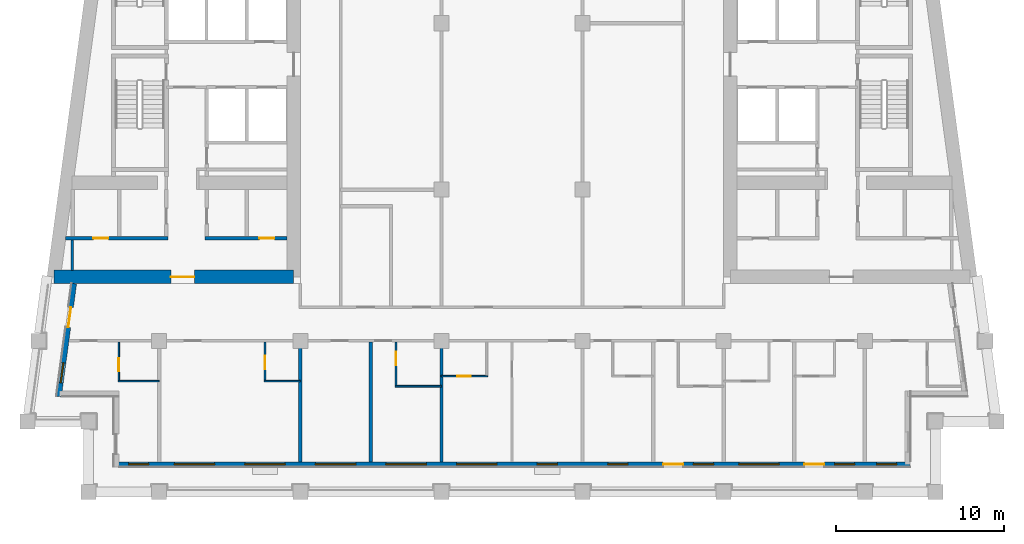
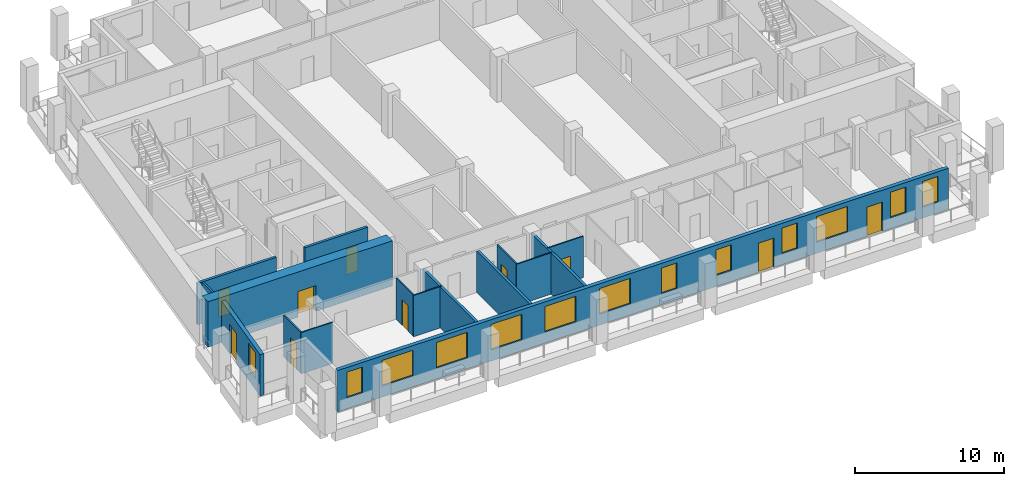
# One storey, part 2 of 13: 16 walls, 13 windows, 10 doors, 23 openings.
"""IFC4 building model written with IfcOpenShell, lengths in metres."""

from ifc_helpers import new_model, si_unit, direction, frame, frame_2d, origin, place, context, subcontext, project, spatial, rectangle, extrude, material, layer, layer_set, type_object, element, fill, save


model = new_model("IFC4")

# Units and contexts
model_context = context("Model", 3, precision=1e-05, world=origin(), true_north=direction((0.0, 1.0)))
body_context = subcontext(model_context, "Body", "Model", "MODEL_VIEW")
ifc_project = project(units=[si_unit("LENGTHUNIT", "METRE"), si_unit("AREAUNIT", "SQUARE_METRE"), si_unit("VOLUMEUNIT", "CUBIC_METRE"), si_unit("PLANEANGLEUNIT", "RADIAN"), si_unit("MASSUNIT", "GRAM", prefix="KILO")], contexts=[model_context])

# Site, building, storey
site_placement = place(None, origin())
site = spatial("IfcSite", under=ifc_project, at=site_placement, CompositionType="ELEMENT")
building_placement = place(site_placement, origin())
building = spatial("IfcBuilding", under=site, at=building_placement, Name="Candeia Pilgrim Tower and Theatre", CompositionType="ELEMENT")
storey_placement = place(building_placement, frame((0.0, 0.0, 220.699951171875)))
storey = spatial("IfcBuildingStorey", under=building, at=storey_placement, Name="L53", CompositionType="ELEMENT", Elevation=220.699951171875)

# Wall, opening, door
ifc_material_1 = material(Name="Concrete C50/60", Category="concrete")
ifc_layer_1 = layer(ifc_material_1, 0.800048828125)
ifc_layer_set_1 = layer_set([ifc_layer_1], Name="Core wall 800 C50/60")
wall_type_1 = type_object("IfcWallType", Name="Core wall 800 C50/60", PredefinedType="SHEAR", material=ifc_layer_set_1)
wall_1_placement = place(storey_placement, frame((100.39990234375, 110.800048828125, 0.0), z_axis=(0.0, 0.0, 1.0), x_axis=(-1.0, 0.0, 0.0)))
wall_1 = element("IfcWall", 1, at=wall_1_placement, inside=storey, type_object=wall_type_1, Name="Core wall W3", PredefinedType="SHEAR", context=body_context, shape_type="SweptSolid", body=[
    extrude(rectangle(XDim=14.273193359375, YDim=0.800048828125, at=frame_2d((7.13671875, 0.0))), origin(), (0.0, 0.0, 1.0), 3.699951171875),
])
opening_1_placement = place(wall_1_placement, frame((5.907958984375, 0.0, 0.0)))
opening_1 = element("IfcOpeningElement", 2, at=opening_1_placement, cuts=wall_1, Name="Opening L53-D056", PredefinedType="OPENING", context=body_context, shape_type="SweptSolid", body=[
    extrude(rectangle(XDim=1.39990234375, YDim=2.10009765625, at=frame_2d((0.699951171875, 1.050048828125))), frame((0.0, 0.41015625, 0.0), z_axis=(0.0, -1.0, 0.0), x_axis=(1.0, 0.0, 0.0)), (0.0, 0.0, 1.0), 0.820068359375),
])
ifc_material_2 = material(Name="Steel fire door set", Category="steel")
door_type_1 = type_object("IfcDoorType", Name="D-1400-FD60", OperationType="NOTDEFINED", PredefinedType="DOOR", material=ifc_material_2)
door_1_placement = place(opening_1_placement, origin())
door_1 = element("IfcDoor", 3, at=door_1_placement, inside=storey, type_object=door_type_1, Name="Door L53-D056", OperationType="SINGLE_SWING_LEFT", OverallHeight=2.10009765625, OverallWidth=1.39990234375, PredefinedType="DOOR", context=body_context, shape_type="SweptSolid", body=[
    extrude(rectangle(XDim=1.39990234375, YDim=2.10009765625, at=frame_2d((0.699951171875, 1.050048828125))), frame((0.0, 0.02490234375, 0.0), z_axis=(0.0, -1.0, 0.0), x_axis=(1.0, 0.0, 0.0)), (0.0, 0.0, 1.0), 0.050048828125),
])
fill(opening_1, door_1)

# Wall, openings, doors, windows
ifc_material_3 = material(Name="Ceramic block masonry", Category="masonry")
ifc_layer_2 = layer(ifc_material_3, 0.300048828125)
ifc_layer_set_2 = layer_set([ifc_layer_2], Name="EW1 glazing-line wall 300")
wall_type_2 = type_object("IfcWallType", Name="EW1 glazing-line wall 300", PredefinedType="SOLIDWALL", material=ifc_layer_set_2)
wall_2_placement = place(storey_placement, frame((89.85009765625, 99.64990234375, 0.0), z_axis=(0.0, 0.0, 1.0), x_axis=(1.0, 0.0, 0.0)))
wall_2 = element("IfcWall", 4, at=wall_2_placement, inside=storey, type_object=wall_type_2, Name="External wall L53-0.0", PredefinedType="SOLIDWALL", context=body_context, shape_type="SweptSolid", body=[
    extrude(rectangle(XDim=47.25, YDim=0.300048828125, at=frame_2d((23.625, 0.0))), origin(), (0.0, 0.0, 1.0), 3.380126953125),
])
opening_2_placement = place(wall_2_placement, frame((0.72509765625, 0.0, 0.89990234375)))
opening_2 = element("IfcOpeningElement", 5, at=opening_2_placement, cuts=wall_2, Name="Opening W-B", PredefinedType="OPENING", context=body_context, shape_type="SweptSolid", body=[
    extrude(rectangle(XDim=1.199951171875, YDim=2.10009765625, at=frame_2d((0.60009765625, 1.050048828125))), frame((0.0, 0.16015625, 0.0), z_axis=(0.0, -1.0, 0.0), x_axis=(1.0, 0.0, 0.0)), (0.0, 0.0, 1.0), 0.320068359375),
])
opening_3_placement = place(wall_2_placement, frame((3.449951171875, 0.0, 0.89990234375)))
opening_3 = element("IfcOpeningElement", 6, at=opening_3_placement, cuts=wall_2, Name="Opening W-A", PredefinedType="OPENING", context=body_context, shape_type="SweptSolid", body=[
    extrude(rectangle(XDim=2.39990234375, YDim=2.10009765625, at=frame_2d((1.199951171875, 1.050048828125))), frame((0.0, 0.16015625, 0.0), z_axis=(0.0, -1.0, 0.0), x_axis=(1.0, 0.0, 0.0)), (0.0, 0.0, 1.0), 0.320068359375),
])
opening_4_placement = place(wall_2_placement, frame((7.64990234375, 0.0, 0.89990234375)))
opening_4 = element("IfcOpeningElement", 7, at=opening_4_placement, cuts=wall_2, Name="Opening W-A", PredefinedType="OPENING", context=body_context, shape_type="SweptSolid", body=[
    extrude(rectangle(XDim=2.39990234375, YDim=2.10009765625, at=frame_2d((1.199951171875, 1.050048828125))), frame((0.0, 0.16015625, 0.0), z_axis=(0.0, -1.0, 0.0), x_axis=(1.0, 0.0, 0.0)), (0.0, 0.0, 1.0), 0.320068359375),
])
opening_5_placement = place(wall_2_placement, frame((11.85009765625, 0.0, 0.89990234375)))
opening_5 = element("IfcOpeningElement", 8, at=opening_5_placement, cuts=wall_2, Name="Opening W-A", PredefinedType="OPENING", context=body_context, shape_type="SweptSolid", body=[
    extrude(rectangle(XDim=2.39990234375, YDim=2.10009765625, at=frame_2d((1.199951171875, 1.050048828125))), frame((0.0, 0.16015625, 0.0), z_axis=(0.0, -1.0, 0.0), x_axis=(1.0, 0.0, 0.0)), (0.0, 0.0, 1.0), 0.320068359375),
])
opening_6_placement = place(wall_2_placement, frame((16.050048828125, 0.0, 0.89990234375)))
opening_6 = element("IfcOpeningElement", 9, at=opening_6_placement, cuts=wall_2, Name="Opening W-A", PredefinedType="OPENING", context=body_context, shape_type="SweptSolid", body=[
    extrude(rectangle(XDim=2.39990234375, YDim=2.10009765625, at=frame_2d((1.199951171875, 1.050048828125))), frame((0.0, 0.16015625, 0.0), z_axis=(0.0, -1.0, 0.0), x_axis=(1.0, 0.0, 0.0)), (0.0, 0.0, 1.0), 0.320068359375),
])
opening_7_placement = place(wall_2_placement, frame((20.25, 0.0, 0.89990234375)))
opening_7 = element("IfcOpeningElement", 10, at=opening_7_placement, cuts=wall_2, Name="Opening W-A", PredefinedType="OPENING", context=body_context, shape_type="SweptSolid", body=[
    extrude(rectangle(XDim=2.39990234375, YDim=2.10009765625, at=frame_2d((1.199951171875, 1.050048828125))), frame((0.0, 0.16015625, 0.0), z_axis=(0.0, -1.0, 0.0), x_axis=(1.0, 0.0, 0.0)), (0.0, 0.0, 1.0), 0.320068359375),
])
opening_8_placement = place(wall_2_placement, frame((25.050048828125, 0.0, 0.89990234375)))
opening_8 = element("IfcOpeningElement", 11, at=opening_8_placement, cuts=wall_2, Name="Opening W-B", PredefinedType="OPENING", context=body_context, shape_type="SweptSolid", body=[
    extrude(rectangle(XDim=1.199951171875, YDim=2.10009765625, at=frame_2d((0.60009765625, 1.050048828125))), frame((0.0, 0.16015625, 0.0), z_axis=(0.0, -1.0, 0.0), x_axis=(1.0, 0.0, 0.0)), (0.0, 0.0, 1.0), 0.320068359375),
])
opening_9_placement = place(wall_2_placement, frame((29.25, 0.0, 0.89990234375)))
opening_9 = element("IfcOpeningElement", 12, at=opening_9_placement, cuts=wall_2, Name="Opening W-B", PredefinedType="OPENING", context=body_context, shape_type="SweptSolid", body=[
    extrude(rectangle(XDim=1.199951171875, YDim=2.10009765625, at=frame_2d((0.60009765625, 1.050048828125))), frame((0.0, 0.16015625, 0.0), z_axis=(0.0, -1.0, 0.0), x_axis=(1.0, 0.0, 0.0)), (0.0, 0.0, 1.0), 0.320068359375),
])
opening_10_placement = place(wall_2_placement, frame((32.550048828125, 0.0, 0.0)))
opening_10 = element("IfcOpeningElement", 13, at=opening_10_placement, cuts=wall_2, Name="Opening L53-ED504", PredefinedType="OPENING", context=body_context, shape_type="SweptSolid", body=[
    extrude(rectangle(XDim=1.199951171875, YDim=2.39990234375, at=frame_2d((0.60009765625, 1.199951171875))), frame((0.0, 0.16015625, 0.0), z_axis=(0.0, -1.0, 0.0), x_axis=(1.0, 0.0, 0.0)), (0.0, 0.0, 1.0), 0.320068359375),
])
opening_11_placement = place(wall_2_placement, frame((34.35009765625, 0.0, 0.89990234375)))
opening_11 = element("IfcOpeningElement", 14, at=opening_11_placement, cuts=wall_2, Name="Opening W-B", PredefinedType="OPENING", context=body_context, shape_type="SweptSolid", body=[
    extrude(rectangle(XDim=1.199951171875, YDim=2.10009765625, at=frame_2d((0.60009765625, 1.050048828125))), frame((0.0, 0.16015625, 0.0), z_axis=(0.0, -1.0, 0.0), x_axis=(1.0, 0.0, 0.0)), (0.0, 0.0, 1.0), 0.320068359375),
])
opening_12_placement = place(wall_2_placement, frame((37.050048828125, 0.0, 0.89990234375)))
opening_12 = element("IfcOpeningElement", 15, at=opening_12_placement, cuts=wall_2, Name="Opening W-A", PredefinedType="OPENING", context=body_context, shape_type="SweptSolid", body=[
    extrude(rectangle(XDim=2.39990234375, YDim=2.10009765625, at=frame_2d((1.199951171875, 1.050048828125))), frame((0.0, 0.16015625, 0.0), z_axis=(0.0, -1.0, 0.0), x_axis=(1.0, 0.0, 0.0)), (0.0, 0.0, 1.0), 0.320068359375),
])
opening_13_placement = place(wall_2_placement, frame((40.949951171875, 0.0, 0.0)))
opening_13 = element("IfcOpeningElement", 16, at=opening_13_placement, cuts=wall_2, Name="Opening L53-ED505", PredefinedType="OPENING", context=body_context, shape_type="SweptSolid", body=[
    extrude(rectangle(XDim=1.199951171875, YDim=2.39990234375, at=frame_2d((0.60009765625, 1.199951171875))), frame((0.0, 0.16015625, 0.0), z_axis=(0.0, -1.0, 0.0), x_axis=(1.0, 0.0, 0.0)), (0.0, 0.0, 1.0), 0.320068359375),
])
opening_14_placement = place(wall_2_placement, frame((42.75, 0.0, 0.89990234375)))
opening_14 = element("IfcOpeningElement", 17, at=opening_14_placement, cuts=wall_2, Name="Opening W-B", PredefinedType="OPENING", context=body_context, shape_type="SweptSolid", body=[
    extrude(rectangle(XDim=1.199951171875, YDim=2.10009765625, at=frame_2d((0.60009765625, 1.050048828125))), frame((0.0, 0.16015625, 0.0), z_axis=(0.0, -1.0, 0.0), x_axis=(1.0, 0.0, 0.0)), (0.0, 0.0, 1.0), 0.320068359375),
])
opening_15_placement = place(wall_2_placement, frame((45.25, 0.0, 0.89990234375)))
opening_15 = element("IfcOpeningElement", 18, at=opening_15_placement, cuts=wall_2, Name="Opening W-B", PredefinedType="OPENING", context=body_context, shape_type="SweptSolid", body=[
    extrude(rectangle(XDim=1.199951171875, YDim=2.10009765625, at=frame_2d((0.60009765625, 1.050048828125))), frame((0.0, 0.16015625, 0.0), z_axis=(0.0, -1.0, 0.0), x_axis=(1.0, 0.0, 0.0)), (0.0, 0.0, 1.0), 0.320068359375),
])
ifc_material_4 = material(Name="Aluminium framed glazed door", Category="aluminium")
door_type_2 = type_object("IfcDoorType", Name="Loggia door 1200x2400", OperationType="DOUBLE_DOOR_SINGLE_SWING", PredefinedType="DOOR", material=ifc_material_4)
door_2_placement = place(opening_10_placement, origin())
door_2 = element("IfcDoor", 19, at=door_2_placement, inside=storey, type_object=door_type_2, Name="Loggia door L53-ED504", OperationType="DOUBLE_DOOR_SINGLE_SWING", OverallHeight=2.39990234375, OverallWidth=1.199951171875, PredefinedType="DOOR", context=body_context, shape_type="SweptSolid", body=[
    extrude(rectangle(XDim=1.199951171875, YDim=2.39990234375, at=frame_2d((0.60009765625, 1.199951171875))), frame((0.0, 0.02490234375, 0.0), z_axis=(0.0, -1.0, 0.0), x_axis=(1.0, 0.0, 0.0)), (0.0, 0.0, 1.0), 0.050048828125),
])
fill(opening_10, door_2)
door_3_placement = place(opening_13_placement, origin())
door_3 = element("IfcDoor", 20, at=door_3_placement, inside=storey, type_object=door_type_2, Name="Loggia door L53-ED505", OperationType="DOUBLE_DOOR_SINGLE_SWING", OverallHeight=2.39990234375, OverallWidth=1.199951171875, PredefinedType="DOOR", context=body_context, shape_type="SweptSolid", body=[
    extrude(rectangle(XDim=1.199951171875, YDim=2.39990234375, at=frame_2d((0.60009765625, 1.199951171875))), frame((0.0, 0.02490234375, 0.0), z_axis=(0.0, -1.0, 0.0), x_axis=(1.0, 0.0, 0.0)), (0.0, 0.0, 1.0), 0.050048828125),
])
fill(opening_13, door_3)
ifc_material_5 = material(Name="Aluminium framed double glazing", Category="aluminium")
window_type_1 = type_object("IfcWindowType", Name="W-A window 2400x2100", PartitioningType="DOUBLE_PANEL_VERTICAL", PredefinedType="WINDOW", material=ifc_material_5)
window_1_placement = place(opening_3_placement, origin())
window_1 = element("IfcWindow", 21, at=window_1_placement, inside=storey, type_object=window_type_1, Name="Window W-A L53", OverallHeight=2.10009765625, OverallWidth=2.39990234375, PartitioningType="SINGLE_PANEL", PredefinedType="WINDOW", context=body_context, shape_type="SweptSolid", body=[
    extrude(rectangle(XDim=2.39990234375, YDim=2.10009765625, at=frame_2d((1.199951171875, 1.050048828125))), frame((0.0, 0.030029296875, 0.0), z_axis=(0.0, -1.0, 0.0), x_axis=(1.0, 0.0, 0.0)), (0.0, 0.0, 1.0), 0.06005859375),
])
fill(opening_3, window_1)
window_2_placement = place(opening_4_placement, origin())
window_2 = element("IfcWindow", 22, at=window_2_placement, inside=storey, type_object=window_type_1, Name="Window W-A L53", OverallHeight=2.10009765625, OverallWidth=2.39990234375, PartitioningType="SINGLE_PANEL", PredefinedType="WINDOW", context=body_context, shape_type="SweptSolid", body=[
    extrude(rectangle(XDim=2.39990234375, YDim=2.10009765625, at=frame_2d((1.199951171875, 1.050048828125))), frame((0.0, 0.030029296875, 0.0), z_axis=(0.0, -1.0, 0.0), x_axis=(1.0, 0.0, 0.0)), (0.0, 0.0, 1.0), 0.06005859375),
])
fill(opening_4, window_2)
window_3_placement = place(opening_5_placement, origin())
window_3 = element("IfcWindow", 23, at=window_3_placement, inside=storey, type_object=window_type_1, Name="Window W-A L53", OverallHeight=2.10009765625, OverallWidth=2.39990234375, PartitioningType="SINGLE_PANEL", PredefinedType="WINDOW", context=body_context, shape_type="SweptSolid", body=[
    extrude(rectangle(XDim=2.39990234375, YDim=2.10009765625, at=frame_2d((1.199951171875, 1.050048828125))), frame((0.0, 0.030029296875, 0.0), z_axis=(0.0, -1.0, 0.0), x_axis=(1.0, 0.0, 0.0)), (0.0, 0.0, 1.0), 0.06005859375),
])
fill(opening_5, window_3)
window_4_placement = place(opening_6_placement, origin())
window_4 = element("IfcWindow", 24, at=window_4_placement, inside=storey, type_object=window_type_1, Name="Window W-A L53", OverallHeight=2.10009765625, OverallWidth=2.39990234375, PartitioningType="SINGLE_PANEL", PredefinedType="WINDOW", context=body_context, shape_type="SweptSolid", body=[
    extrude(rectangle(XDim=2.39990234375, YDim=2.10009765625, at=frame_2d((1.199951171875, 1.050048828125))), frame((0.0, 0.030029296875, 0.0), z_axis=(0.0, -1.0, 0.0), x_axis=(1.0, 0.0, 0.0)), (0.0, 0.0, 1.0), 0.06005859375),
])
fill(opening_6, window_4)
window_5_placement = place(opening_7_placement, origin())
window_5 = element("IfcWindow", 25, at=window_5_placement, inside=storey, type_object=window_type_1, Name="Window W-A L53", OverallHeight=2.10009765625, OverallWidth=2.39990234375, PartitioningType="SINGLE_PANEL", PredefinedType="WINDOW", context=body_context, shape_type="SweptSolid", body=[
    extrude(rectangle(XDim=2.39990234375, YDim=2.10009765625, at=frame_2d((1.199951171875, 1.050048828125))), frame((0.0, 0.030029296875, 0.0), z_axis=(0.0, -1.0, 0.0), x_axis=(1.0, 0.0, 0.0)), (0.0, 0.0, 1.0), 0.06005859375),
])
fill(opening_7, window_5)
window_6_placement = place(opening_12_placement, origin())
window_6 = element("IfcWindow", 26, at=window_6_placement, inside=storey, type_object=window_type_1, Name="Window W-A L53", OverallHeight=2.10009765625, OverallWidth=2.39990234375, PartitioningType="SINGLE_PANEL", PredefinedType="WINDOW", context=body_context, shape_type="SweptSolid", body=[
    extrude(rectangle(XDim=2.39990234375, YDim=2.10009765625, at=frame_2d((1.199951171875, 1.050048828125))), frame((0.0, 0.030029296875, 0.0), z_axis=(0.0, -1.0, 0.0), x_axis=(1.0, 0.0, 0.0)), (0.0, 0.0, 1.0), 0.06005859375),
])
fill(opening_12, window_6)
window_type_2 = type_object("IfcWindowType", Name="W-B window 1200x2100", PartitioningType="SINGLE_PANEL", PredefinedType="WINDOW", material=ifc_material_5)
window_7_placement = place(opening_2_placement, origin())
window_7 = element("IfcWindow", 27, at=window_7_placement, inside=storey, type_object=window_type_2, Name="Window W-B L53", OverallHeight=2.10009765625, OverallWidth=1.199951171875, PartitioningType="SINGLE_PANEL", PredefinedType="WINDOW", context=body_context, shape_type="SweptSolid", body=[
    extrude(rectangle(XDim=1.199951171875, YDim=2.10009765625, at=frame_2d((0.60009765625, 1.050048828125))), frame((0.0, 0.030029296875, 0.0), z_axis=(0.0, -1.0, 0.0), x_axis=(1.0, 0.0, 0.0)), (0.0, 0.0, 1.0), 0.06005859375),
])
fill(opening_2, window_7)
window_8_placement = place(opening_8_placement, origin())
window_8 = element("IfcWindow", 28, at=window_8_placement, inside=storey, type_object=window_type_2, Name="Window W-B L53", OverallHeight=2.10009765625, OverallWidth=1.199951171875, PartitioningType="SINGLE_PANEL", PredefinedType="WINDOW", context=body_context, shape_type="SweptSolid", body=[
    extrude(rectangle(XDim=1.199951171875, YDim=2.10009765625, at=frame_2d((0.60009765625, 1.050048828125))), frame((0.0, 0.030029296875, 0.0), z_axis=(0.0, -1.0, 0.0), x_axis=(1.0, 0.0, 0.0)), (0.0, 0.0, 1.0), 0.06005859375),
])
fill(opening_8, window_8)
window_9_placement = place(opening_9_placement, origin())
window_9 = element("IfcWindow", 29, at=window_9_placement, inside=storey, type_object=window_type_2, Name="Window W-B L53", OverallHeight=2.10009765625, OverallWidth=1.199951171875, PartitioningType="SINGLE_PANEL", PredefinedType="WINDOW", context=body_context, shape_type="SweptSolid", body=[
    extrude(rectangle(XDim=1.199951171875, YDim=2.10009765625, at=frame_2d((0.60009765625, 1.050048828125))), frame((0.0, 0.030029296875, 0.0), z_axis=(0.0, -1.0, 0.0), x_axis=(1.0, 0.0, 0.0)), (0.0, 0.0, 1.0), 0.06005859375),
])
fill(opening_9, window_9)
window_10_placement = place(opening_11_placement, origin())
window_10 = element("IfcWindow", 30, at=window_10_placement, inside=storey, type_object=window_type_2, Name="Window W-B L53", OverallHeight=2.10009765625, OverallWidth=1.199951171875, PartitioningType="SINGLE_PANEL", PredefinedType="WINDOW", context=body_context, shape_type="SweptSolid", body=[
    extrude(rectangle(XDim=1.199951171875, YDim=2.10009765625, at=frame_2d((0.60009765625, 1.050048828125))), frame((0.0, 0.030029296875, 0.0), z_axis=(0.0, -1.0, 0.0), x_axis=(1.0, 0.0, 0.0)), (0.0, 0.0, 1.0), 0.06005859375),
])
fill(opening_11, window_10)
window_11_placement = place(opening_14_placement, origin())
window_11 = element("IfcWindow", 31, at=window_11_placement, inside=storey, type_object=window_type_2, Name="Window W-B L53", OverallHeight=2.10009765625, OverallWidth=1.199951171875, PartitioningType="SINGLE_PANEL", PredefinedType="WINDOW", context=body_context, shape_type="SweptSolid", body=[
    extrude(rectangle(XDim=1.199951171875, YDim=2.10009765625, at=frame_2d((0.60009765625, 1.050048828125))), frame((0.0, 0.030029296875, 0.0), z_axis=(0.0, -1.0, 0.0), x_axis=(1.0, 0.0, 0.0)), (0.0, 0.0, 1.0), 0.06005859375),
])
fill(opening_14, window_11)
window_12_placement = place(opening_15_placement, origin())
window_12 = element("IfcWindow", 32, at=window_12_placement, inside=storey, type_object=window_type_2, Name="Window W-B L53", OverallHeight=2.10009765625, OverallWidth=1.199951171875, PartitioningType="SINGLE_PANEL", PredefinedType="WINDOW", context=body_context, shape_type="SweptSolid", body=[
    extrude(rectangle(XDim=1.199951171875, YDim=2.10009765625, at=frame_2d((0.60009765625, 1.050048828125))), frame((0.0, 0.030029296875, 0.0), z_axis=(0.0, -1.0, 0.0), x_axis=(1.0, 0.0, 0.0)), (0.0, 0.0, 1.0), 0.06005859375),
])
fill(opening_15, window_12)

# Wall, openings, door, window
wall_3_placement = place(storey_placement, frame((87.334228515625, 110.39990234375, 0.0), z_axis=(0.0, 0.0, 1.0), x_axis=(-0.133437175554, -0.991057273915, 0.0)))
wall_3 = element("IfcWall", 33, at=wall_3_placement, inside=storey, type_object=wall_type_2, Name="External wall L53-9.1", PredefinedType="SOLIDWALL", context=body_context, shape_type="SweptSolid", body=[
    extrude(rectangle(XDim=6.780517578125, YDim=0.300048828125, at=frame_2d((3.39013671875, 0.0))), origin(), (0.0, 0.0, 1.0), 3.380126953125),
])
opening_16_placement = place(wall_3_placement, frame((1.41796875, 0.0, 0.0)))
opening_16 = element("IfcOpeningElement", 34, at=opening_16_placement, cuts=wall_3, Name="Opening L53-ED513", PredefinedType="OPENING", context=body_context, shape_type="SweptSolid", body=[
    extrude(rectangle(XDim=1.199951171875, YDim=2.39990234375, at=frame_2d((0.60009765625, 1.199951171875))), frame((0.0, 0.16015625, 0.0), z_axis=(0.0, -1.0, 0.0), x_axis=(1.0, 0.0, 0.0)), (0.0, 0.0, 1.0), 0.320068359375),
])
opening_17_placement = place(wall_3_placement, frame((4.75830078125, 0.0, 0.89990234375)))
opening_17 = element("IfcOpeningElement", 35, at=opening_17_placement, cuts=wall_3, Name="Opening W-B", PredefinedType="OPENING", context=body_context, shape_type="SweptSolid", body=[
    extrude(rectangle(XDim=1.199951171875, YDim=2.10009765625, at=frame_2d((0.60009765625, 1.050048828125))), frame((0.0, 0.16015625, 0.0), z_axis=(0.0, -1.0, 0.0), x_axis=(1.0, 0.0, 0.0)), (0.0, 0.0, 1.0), 0.320068359375),
])
door_4_placement = place(opening_16_placement, origin())
door_4 = element("IfcDoor", 36, at=door_4_placement, inside=storey, type_object=door_type_2, Name="Loggia door L53-ED513", OperationType="DOUBLE_DOOR_SINGLE_SWING", OverallHeight=2.39990234375, OverallWidth=1.199951171875, PredefinedType="DOOR", context=body_context, shape_type="SweptSolid", body=[
    extrude(rectangle(XDim=1.199951171875, YDim=2.39990234375, at=frame_2d((0.60009765625, 1.199951171875))), frame((0.0, 0.02490234375, 0.0), z_axis=(0.0, -1.0, 0.0), x_axis=(1.0, 0.0, 0.0)), (0.0, 0.0, 1.0), 0.050048828125),
])
fill(opening_16, door_4)
window_13_placement = place(opening_17_placement, origin())
window_13 = element("IfcWindow", 37, at=window_13_placement, inside=storey, type_object=window_type_2, Name="Window W-B L53", OverallHeight=2.10009765625, OverallWidth=1.199951171875, PartitioningType="SINGLE_PANEL", PredefinedType="WINDOW", context=body_context, shape_type="SweptSolid", body=[
    extrude(rectangle(XDim=1.199951171875, YDim=2.10009765625, at=frame_2d((0.60009765625, 1.050048828125))), frame((0.0, 0.030029296875, 0.0), z_axis=(0.0, -1.0, 0.0), x_axis=(1.0, 0.0, 0.0)), (0.0, 0.0, 1.0), 0.06005859375),
])
fill(opening_17, window_13)

# Walls
ifc_material_6 = material(Name="Gypsum board partition on steel studs", Category="steel")
ifc_layer_3 = layer(ifc_material_6, 0.10009765625)
ifc_layer_set_3 = layer_set([ifc_layer_3], Name="PW-100 room partition")
wall_type_3 = type_object("IfcWallType", Name="PW-100 room partition", PredefinedType="PARTITIONING", material=ifc_layer_set_3)
wall_4_placement = place(storey_placement, frame((106.449951171875, 104.300048828125, 0.0), z_axis=(0.0, 0.0, 1.0), x_axis=(1.0, 0.0, 0.0)))
element("IfcWall", 38, at=wall_4_placement, inside=storey, type_object=wall_type_3, Name="Room partition L53-001", PredefinedType="PARTITIONING", context=body_context, shape_type="SweptSolid", body=[
    extrude(rectangle(XDim=2.75, YDim=0.10009765625, at=frame_2d((1.375, 0.0))), origin(), (0.0, 0.0, 1.0), 3.380126953125),
])
wall_5_placement = place(storey_placement, frame((89.949951171875, 104.60009765625, 0.0), z_axis=(0.0, 0.0, 1.0), x_axis=(1.0, 0.0, 0.0)))
element("IfcWall", 39, at=wall_5_placement, inside=storey, type_object=wall_type_3, Name="Room partition L53-004", PredefinedType="PARTITIONING", context=body_context, shape_type="SweptSolid", body=[
    extrude(rectangle(XDim=2.449951171875, YDim=0.10009765625, at=frame_2d((1.22509765625, 0.0))), origin(), (0.0, 0.0, 1.0), 3.380126953125),
])
wall_6_placement = place(storey_placement, frame((98.64990234375, 104.60009765625, 0.0), z_axis=(0.0, 0.0, 1.0), x_axis=(1.0, 0.0, 0.0)))
element("IfcWall", 40, at=wall_6_placement, inside=storey, type_object=wall_type_3, Name="Room partition L53-005", PredefinedType="PARTITIONING", context=body_context, shape_type="SweptSolid", body=[
    extrude(rectangle(XDim=2.150146484375, YDim=0.10009765625, at=frame_2d((1.0751953125, 0.0))), origin(), (0.0, 0.0, 1.0), 3.380126953125),
])

# Wall, opening, door
wall_7_placement = place(storey_placement, frame((109.199951171875, 104.89990234375, 0.0), z_axis=(0.0, 0.0, 1.0), x_axis=(1.0, 0.0, 0.0)))
wall_7 = element("IfcWall", 41, at=wall_7_placement, inside=storey, type_object=wall_type_3, Name="Room partition L53-007", PredefinedType="PARTITIONING", context=body_context, shape_type="SweptSolid", body=[
    extrude(rectangle(XDim=2.75, YDim=0.10009765625, at=frame_2d((1.375, 0.0))), origin(), (0.0, 0.0, 1.0), 3.380126953125),
])
opening_18_placement = place(wall_7_placement, frame((0.949951171875, 0.0, 0.0)))
opening_18 = element("IfcOpeningElement", 42, at=opening_18_placement, cuts=wall_7, Name="Opening L53-D026", PredefinedType="OPENING", context=body_context, shape_type="SweptSolid", body=[
    extrude(rectangle(XDim=0.800048828125, YDim=2.10009765625, at=frame_2d((0.39990234375, 1.050048828125))), frame((0.0, 0.06005859375, 0.0), z_axis=(0.0, -1.0, 0.0), x_axis=(1.0, 0.0, 0.0)), (0.0, 0.0, 1.0), 0.1201171875),
])
ifc_material_7 = material(Name="Timber door leaf", Category="wood")
door_type_3 = type_object("IfcDoorType", Name="D-800", OperationType="NOTDEFINED", PredefinedType="DOOR", material=ifc_material_7)
door_5_placement = place(opening_18_placement, origin())
door_5 = element("IfcDoor", 43, at=door_5_placement, inside=storey, type_object=door_type_3, Name="Door L53-D026", OperationType="SINGLE_SWING_LEFT", OverallHeight=2.10009765625, OverallWidth=0.800048828125, PredefinedType="DOOR", context=body_context, shape_type="SweptSolid", body=[
    extrude(rectangle(XDim=0.800048828125, YDim=2.10009765625, at=frame_2d((0.39990234375, 1.050048828125))), frame((0.0, 0.02490234375, 0.0), z_axis=(0.0, -1.0, 0.0), x_axis=(1.0, 0.0, 0.0)), (0.0, 0.0, 1.0), 0.050048828125),
])
fill(opening_18, door_5)

wall_8_placement = place(storey_placement, frame((90.0, 104.64990234375, 0.0), z_axis=(0.0, 0.0, 1.0), x_axis=(0.0, 1.0, 0.0)))
wall_8 = element("IfcWall", 44, at=wall_8_placement, inside=storey, type_object=wall_type_3, Name="Room partition L53-054", PredefinedType="PARTITIONING", context=body_context, shape_type="SweptSolid", body=[
    extrude(rectangle(XDim=2.275146484375, YDim=0.10009765625, at=frame_2d((1.1376953125, 0.0))), origin(), (0.0, 0.0, 1.0), 3.380126953125),
])
opening_19_placement = place(wall_8_placement, frame((0.52490234375, 0.0, 0.0)))
opening_19 = element("IfcOpeningElement", 45, at=opening_19_placement, cuts=wall_8, Name="Opening L53-D018", PredefinedType="OPENING", context=body_context, shape_type="SweptSolid", body=[
    extrude(rectangle(XDim=0.800048828125, YDim=2.10009765625, at=frame_2d((0.39990234375, 1.050048828125))), frame((0.0, 0.06005859375, 0.0), z_axis=(0.0, -1.0, 0.0), x_axis=(1.0, 0.0, 0.0)), (0.0, 0.0, 1.0), 0.1201171875),
])
door_6_placement = place(opening_19_placement, origin())
door_6 = element("IfcDoor", 46, at=door_6_placement, inside=storey, type_object=door_type_3, Name="Door L53-D018", OperationType="SINGLE_SWING_LEFT", OverallHeight=2.10009765625, OverallWidth=0.800048828125, PredefinedType="DOOR", context=body_context, shape_type="SweptSolid", body=[
    extrude(rectangle(XDim=0.800048828125, YDim=2.10009765625, at=frame_2d((0.39990234375, 1.050048828125))), frame((0.0, 0.02490234375, 0.0), z_axis=(0.0, -1.0, 0.0), x_axis=(1.0, 0.0, 0.0)), (0.0, 0.0, 1.0), 0.050048828125),
])
fill(opening_19, door_6)

wall_9_placement = place(storey_placement, frame((98.699951171875, 104.64990234375, 0.0), z_axis=(0.0, 0.0, 1.0), x_axis=(0.0, 1.0, 0.0)))
wall_9 = element("IfcWall", 47, at=wall_9_placement, inside=storey, type_object=wall_type_3, Name="Room partition L53-071", PredefinedType="PARTITIONING", context=body_context, shape_type="SweptSolid", body=[
    extrude(rectangle(XDim=2.275146484375, YDim=0.10009765625, at=frame_2d((1.1376953125, 0.0))), origin(), (0.0, 0.0, 1.0), 3.380126953125),
])
opening_20_placement = place(wall_9_placement, frame((0.659912109375, 0.0, 0.0)))
opening_20 = element("IfcOpeningElement", 48, at=opening_20_placement, cuts=wall_9, Name="Opening L53-D020", PredefinedType="OPENING", context=body_context, shape_type="SweptSolid", body=[
    extrude(rectangle(XDim=0.800048828125, YDim=2.10009765625, at=frame_2d((0.39990234375, 1.050048828125))), frame((0.0, 0.06005859375, 0.0), z_axis=(0.0, -1.0, 0.0), x_axis=(1.0, 0.0, 0.0)), (0.0, 0.0, 1.0), 0.1201171875),
])
door_7_placement = place(opening_20_placement, origin())
door_7 = element("IfcDoor", 49, at=door_7_placement, inside=storey, type_object=door_type_3, Name="Door L53-D020", OperationType="SINGLE_SWING_LEFT", OverallHeight=2.10009765625, OverallWidth=0.800048828125, PredefinedType="DOOR", context=body_context, shape_type="SweptSolid", body=[
    extrude(rectangle(XDim=0.800048828125, YDim=2.10009765625, at=frame_2d((0.39990234375, 1.050048828125))), frame((0.0, 0.02490234375, 0.0), z_axis=(0.0, -1.0, 0.0), x_axis=(1.0, 0.0, 0.0)), (0.0, 0.0, 1.0), 0.050048828125),
])
fill(opening_20, door_7)

wall_10_placement = place(storey_placement, frame((106.5, 104.35009765625, 0.0), z_axis=(0.0, 0.0, 1.0), x_axis=(0.0, 1.0, 0.0)))
wall_10 = element("IfcWall", 50, at=wall_10_placement, inside=storey, type_object=wall_type_3, Name="Room partition L53-079", PredefinedType="PARTITIONING", context=body_context, shape_type="SweptSolid", body=[
    extrude(rectangle(XDim=2.574951171875, YDim=0.10009765625, at=frame_2d((1.28759765625, 0.0))), origin(), (0.0, 0.0, 1.0), 3.380126953125),
])
opening_21_placement = place(wall_10_placement, frame((1.199951171875, 0.0, 0.0)))
opening_21 = element("IfcOpeningElement", 51, at=opening_21_placement, cuts=wall_10, Name="Opening L53-D023", PredefinedType="OPENING", context=body_context, shape_type="SweptSolid", body=[
    extrude(rectangle(XDim=0.800048828125, YDim=2.10009765625, at=frame_2d((0.39990234375, 1.050048828125))), frame((0.0, 0.06005859375, 0.0), z_axis=(0.0, -1.0, 0.0), x_axis=(1.0, 0.0, 0.0)), (0.0, 0.0, 1.0), 0.1201171875),
])
door_8_placement = place(opening_21_placement, origin())
door_8 = element("IfcDoor", 52, at=door_8_placement, inside=storey, type_object=door_type_3, Name="Door L53-D023", OperationType="SINGLE_SWING_RIGHT", OverallHeight=2.10009765625, OverallWidth=0.800048828125, PredefinedType="DOOR", context=body_context, shape_type="SweptSolid", body=[
    extrude(rectangle(XDim=0.800048828125, YDim=2.10009765625, at=frame_2d((0.39990234375, 1.050048828125))), frame((0.0, 0.02490234375, 0.0), z_axis=(0.0, -1.0, 0.0), x_axis=(1.0, 0.0, 0.0)), (0.0, 0.0, 1.0), 0.050048828125),
])
fill(opening_21, door_8)

# Walls
ifc_layer_4 = layer(ifc_material_6, 0.14990234375)
ifc_layer_set_4 = layer_set([ifc_layer_4], Name="PW-150 lobby wall")
wall_type_4 = type_object("IfcWallType", Name="PW-150 lobby wall", PredefinedType="PARTITIONING", material=ifc_layer_set_4)
wall_11_placement = place(storey_placement, frame((87.22705078125, 111.199951171875, 0.0), z_axis=(0.0, 0.0, 1.0), x_axis=(0.0, 1.0, 0.0)))
element("IfcWall", 53, at=wall_11_placement, inside=storey, type_object=wall_type_4, Name="Lobby wall L53-051", PredefinedType="PARTITIONING", context=body_context, shape_type="SweptSolid", body=[
    extrude(rectangle(XDim=1.800048828125, YDim=0.14990234375, at=frame_2d((0.89990234375, 0.0))), origin(), (0.0, 0.0, 1.0), 3.380126953125),
])
ifc_layer_5 = layer(ifc_material_6, 0.199951171875)
ifc_layer_set_5 = layer_set([ifc_layer_5], Name="PW-200 party wall")
wall_type_5 = type_object("IfcWallType", Name="PW-200 party wall", PredefinedType="PARTITIONING", material=ifc_layer_set_5)
for number, where, z_axis, x_axis, name in (
    (54, (100.800048828125, 99.7900390625, 0.0), (0.0, 0.0, 1.0), (0.0, 1.0, 0.0), "Party wall L53-072"),
    (55, (105.0, 99.7900390625, 0.0), (0.0, 0.0, 1.0), (0.0, 1.0, 0.0), "Party wall L53-077"),
    (56, (109.199951171875, 99.7900390625, 0.0), (0.0, 0.0, 1.0), (0.0, 1.0, 0.0), "Party wall L53-081"),
):
    element("IfcWall", number, at=place(storey_placement, frame(where, z_axis=z_axis, x_axis=x_axis)), inside=storey, type_object=wall_type_5, Name=name, PredefinedType="PARTITIONING", context=body_context, shape_type="SweptSolid", body=[
        extrude(rectangle(XDim=7.135009765625, YDim=0.199951171875, at=frame_2d((3.5673828125, 0.0))), origin(), (0.0, 0.0, 1.0), 3.380126953125),
    ])

# Wall, opening, door
ifc_material_8 = material(Name="Concrete C40/50", Category="concrete")
ifc_layer_6 = layer(ifc_material_8, 0.199951171875)
ifc_layer_set_6 = layer_set([ifc_layer_6], Name="SW-200 shaft wall")
wall_type_6 = type_object("IfcWallType", Name="SW-200 shaft wall", PredefinedType="PARTITIONING", material=ifc_layer_set_6)
wall_12_placement = place(storey_placement, frame((86.809814453125, 113.10009765625, 0.0), z_axis=(0.0, 0.0, 1.0), x_axis=(1.0, 0.0, 0.0)))
wall_12 = element("IfcWall", 57, at=wall_12_placement, inside=storey, type_object=wall_type_6, Name="Shaft wall L53-012", PredefinedType="PARTITIONING", context=body_context, shape_type="SweptSolid", body=[
    extrude(rectangle(XDim=6.1171875, YDim=0.199951171875, at=frame_2d((3.05859375, 0.0))), origin(), (0.0, 0.0, 1.0), 3.380126953125),
])
opening_22_placement = place(wall_12_placement, frame((1.6669921875, 0.0, 0.0)))
opening_22 = element("IfcOpeningElement", 58, at=opening_22_placement, cuts=wall_12, Name="Opening L53-D005", PredefinedType="OPENING", context=body_context, shape_type="SweptSolid", body=[
    extrude(rectangle(XDim=0.89990234375, YDim=2.10009765625, at=frame_2d((0.449951171875, 1.050048828125))), frame((0.0, 0.10986328125, 0.0), z_axis=(0.0, -1.0, 0.0), x_axis=(1.0, 0.0, 0.0)), (0.0, 0.0, 1.0), 0.219970703125),
])
door_type_4 = type_object("IfcDoorType", Name="D-900-FD60", OperationType="NOTDEFINED", PredefinedType="DOOR", material=ifc_material_2)
door_9_placement = place(opening_22_placement, origin())
door_9 = element("IfcDoor", 59, at=door_9_placement, inside=storey, type_object=door_type_4, Name="Door L53-D005", OperationType="SINGLE_SWING_RIGHT", OverallHeight=2.10009765625, OverallWidth=0.89990234375, PredefinedType="DOOR", context=body_context, shape_type="SweptSolid", body=[
    extrude(rectangle(XDim=0.89990234375, YDim=2.10009765625, at=frame_2d((0.449951171875, 1.050048828125))), frame((0.0, 0.02490234375, 0.0), z_axis=(0.0, -1.0, 0.0), x_axis=(1.0, 0.0, 0.0)), (0.0, 0.0, 1.0), 0.050048828125),
])
fill(opening_22, door_9)

wall_13_placement = place(storey_placement, frame((95.126953125, 113.10009765625, 0.0), z_axis=(0.0, 0.0, 1.0), x_axis=(1.0, 0.0, 0.0)))
wall_13 = element("IfcWall", 60, at=wall_13_placement, inside=storey, type_object=wall_type_6, Name="Shaft wall L53-013", PredefinedType="PARTITIONING", context=body_context, shape_type="SweptSolid", body=[
    extrude(rectangle(XDim=4.873046875, YDim=0.199951171875, at=frame_2d((2.4365234375, 0.0))), origin(), (0.0, 0.0, 1.0), 3.380126953125),
])
opening_23_placement = place(wall_13_placement, frame((3.22998046875, 0.0, 0.0)))
opening_23 = element("IfcOpeningElement", 61, at=opening_23_placement, cuts=wall_13, Name="Opening L53-D008", PredefinedType="OPENING", context=body_context, shape_type="SweptSolid", body=[
    extrude(rectangle(XDim=0.89990234375, YDim=2.10009765625, at=frame_2d((0.449951171875, 1.050048828125))), frame((0.0, 0.10986328125, 0.0), z_axis=(0.0, -1.0, 0.0), x_axis=(1.0, 0.0, 0.0)), (0.0, 0.0, 1.0), 0.219970703125),
])
door_10_placement = place(opening_23_placement, origin())
door_10 = element("IfcDoor", 62, at=door_10_placement, inside=storey, type_object=door_type_4, Name="Door L53-D008", OperationType="SINGLE_SWING_LEFT", OverallHeight=2.10009765625, OverallWidth=0.89990234375, PredefinedType="DOOR", context=body_context, shape_type="SweptSolid", body=[
    extrude(rectangle(XDim=0.89990234375, YDim=2.10009765625, at=frame_2d((0.449951171875, 1.050048828125))), frame((0.0, 0.02490234375, 0.0), z_axis=(0.0, -1.0, 0.0), x_axis=(1.0, 0.0, 0.0)), (0.0, 0.0, 1.0), 0.050048828125),
])
fill(opening_23, door_10)

save(model, "model.ifc")
